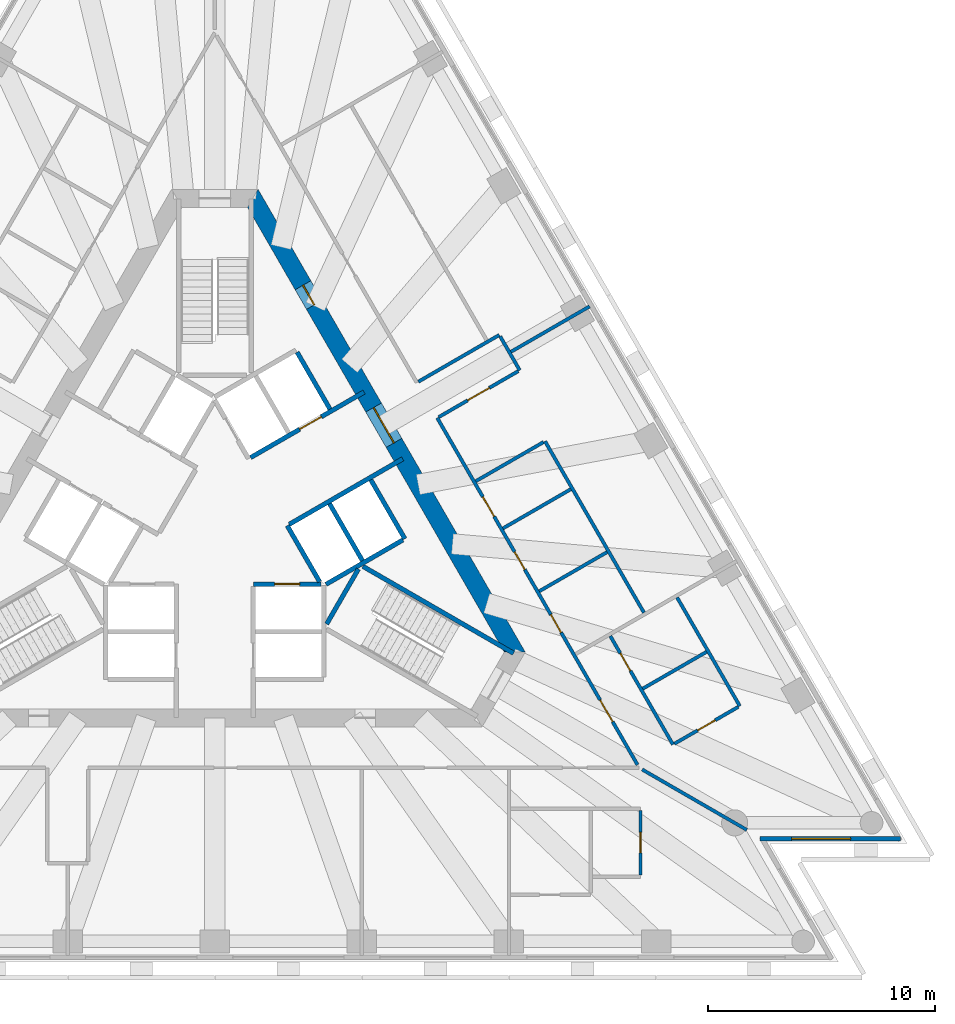
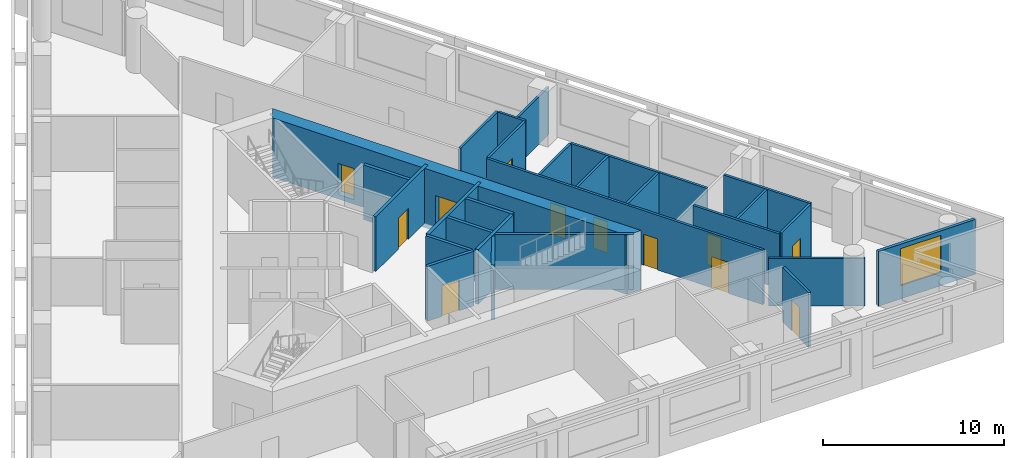
# One storey, part 5 of 9: 27 walls, 12 doors, 1 window, 13 openings.
"""IFC4 building model written with IfcOpenShell, lengths in metres."""

from ifc_helpers import new_model, si_unit, direction, frame, frame_2d, origin, place, context, subcontext, project, spatial, polyline, rectangle, outline, extrude, material, layer, layer_set, layer_usage, type_object, element, fill, save


model = new_model("IFC4")

# Units and contexts
model_context = context("Model", 3, precision=1e-05, world=origin(), true_north=direction((0.0, 1.0)))
body_context = subcontext(model_context, "Body", "Model", "MODEL_VIEW")
ifc_project = project(units=[si_unit("LENGTHUNIT", "METRE"), si_unit("AREAUNIT", "SQUARE_METRE"), si_unit("VOLUMEUNIT", "CUBIC_METRE"), si_unit("PLANEANGLEUNIT", "RADIAN"), si_unit("MASSUNIT", "GRAM", prefix="KILO")], contexts=[model_context])

# Site, building, storey
site_placement = place(None, origin())
site = spatial("IfcSite", under=ifc_project, at=site_placement, CompositionType="ELEMENT")
building_placement = place(site_placement, origin())
building = spatial("IfcBuilding", under=site, at=building_placement, Name="Triada Interchange Tower", CompositionType="ELEMENT")
storey_placement = place(building_placement, frame((0.0, 0.0, 164.300048828125)))
storey = spatial("IfcBuildingStorey", under=building, at=storey_placement, Name="L38", CompositionType="ELEMENT", Elevation=164.300048828125)

# Wall, opening, door
ifc_material_1 = material(Name="Concrete C30/37", Category="concrete")
ifc_layer_1 = layer(ifc_material_1, 0.199951171875)
ifc_layer_set_1 = layer_set([ifc_layer_1], Name="CORE WALL 200 EI 120")
wall_type_1 = type_object("IfcWallType", Name="CORE WALL 200 EI 120", PredefinedType="SOLIDWALL", material=ifc_layer_set_1)
wall_1_placement = place(storey_placement, frame((1.702880859375, -2.699951171875, 0.0), z_axis=(0.0, 0.0, 1.0), x_axis=(1.0, 0.0, 0.0)))
wall_1 = element("IfcWall", 1, at=wall_1_placement, inside=storey, type_object=wall_type_1, Name="Wall L38 57", PredefinedType="SOLIDWALL", context=body_context, shape_type="SweptSolid", body=[
    extrude(rectangle(XDim=2.97314453125, YDim=0.199951171875, at=frame_2d((1.486572265625, 0.0))), origin(), (0.0, 0.0, 1.0), 3.699951171875),
])
opening_1_placement = place(wall_1_placement, frame((0.93603515625, 0.0, 0.0)))
opening_1 = element("IfcOpeningElement", 2, at=opening_1_placement, cuts=wall_1, Name="Opening LD-LR1", PredefinedType="OPENING", context=body_context, shape_type="SweptSolid", body=[
    extrude(rectangle(XDim=1.10009765625, YDim=2.10009765625, at=frame_2d((0.550048828125, 1.050048828125))), frame((0.0, 0.10986328125, 0.0), z_axis=(0.0, -1.0, 0.0), x_axis=(1.0, 0.0, 0.0)), (0.0, 0.0, 1.0), 0.219970703125),
])
ifc_material_2 = material(Name="Steel S235 door leaf", Category="steel")
door_type_1 = type_object("IfcDoorType", Name="LIFT LANDING DOOR 1100 EI 120", OperationType="SLIDING_TO_LEFT", PredefinedType="DOOR", material=ifc_material_2)
door_1_placement = place(opening_1_placement, origin())
door_1 = element("IfcDoor", 3, at=door_1_placement, inside=storey, type_object=door_type_1, Name="LR1 landing door L38", OperationType="SLIDING_TO_LEFT", OverallHeight=2.10009765625, OverallWidth=1.10009765625, PredefinedType="DOOR", context=body_context, shape_type="SweptSolid", body=[
    extrude(rectangle(XDim=1.10009765625, YDim=2.10009765625, at=frame_2d((0.550048828125, 1.050048828125))), frame((0.0, 0.02490234375, 0.0), z_axis=(0.0, -1.0, 0.0), x_axis=(1.0, 0.0, 0.0)), (0.0, 0.0, 1.0), 0.050048828125),
])
fill(opening_1, door_1)

# Wall
wall_2_placement = place(storey_placement, frame((3.18994140625, -0.125, 0.0), z_axis=(0.0, 0.0, 1.0), x_axis=(0.499988658015, -0.866031951983, 0.0)))
element("IfcWall", 4, at=wall_2_placement, inside=storey, type_object=wall_type_1, Name="Wall L38 60", PredefinedType="SOLIDWALL", context=body_context, shape_type="SweptSolid", body=[
    extrude(rectangle(XDim=2.85791015625, YDim=0.199951171875, at=frame_2d((1.428955078125, 0.0))), origin(), (0.0, 0.0, 1.0), 3.699951171875),
])

# Wall, opening, door
wall_3_placement = place(storey_placement, frame((1.576904296875, 2.8740234375, 0.0), z_axis=(0.0, 0.0, 1.0), x_axis=(0.866073694534, 0.499916348638, 0.0)))
wall_3 = element("IfcWall", 5, at=wall_3_placement, inside=storey, type_object=wall_type_1, Name="Wall L38 61", PredefinedType="SOLIDWALL", context=body_context, shape_type="SweptSolid", body=[
    extrude(rectangle(XDim=5.77685546875, YDim=0.199951171875, at=frame_2d((2.888427734375, 0.0))), origin(), (0.0, 0.0, 1.0), 3.699951171875),
])
opening_2_placement = place(wall_3_placement, frame((2.4970703125, 0.0, 0.0)))
opening_2 = element("IfcOpeningElement", 6, at=opening_2_placement, cuts=wall_3, Name="Opening LD-LR6", PredefinedType="OPENING", context=body_context, shape_type="SweptSolid", body=[
    extrude(rectangle(XDim=1.10009765625, YDim=2.10009765625, at=frame_2d((0.550048828125, 1.050048828125))), frame((0.0, 0.10986328125, 0.0), z_axis=(0.0, -1.0, 0.0), x_axis=(1.0, 0.0, 0.0)), (0.0, 0.0, 1.0), 0.219970703125),
])
door_2_placement = place(opening_2_placement, origin())
door_2 = element("IfcDoor", 7, at=door_2_placement, inside=storey, type_object=door_type_1, Name="LR6 landing door L38", OperationType="SLIDING_TO_LEFT", OverallHeight=2.10009765625, OverallWidth=1.10009765625, PredefinedType="DOOR", context=body_context, shape_type="SweptSolid", body=[
    extrude(rectangle(XDim=1.10009765625, YDim=2.10009765625, at=frame_2d((0.550048828125, 1.050048828125))), frame((0.0, 0.02490234375, 0.0), z_axis=(0.0, -1.0, 0.0), x_axis=(1.0, 0.0, 0.0)), (0.0, 0.0, 1.0), 0.050048828125),
])
fill(opening_2, door_2)

# Walls
wall_4_placement = place(storey_placement, frame((3.6259765625, 7.52001953125, 0.0), z_axis=(0.0, 0.0, 1.0), x_axis=(0.500060147554, -0.865990674793, 0.0)))
element("IfcWall", 8, at=wall_4_placement, inside=storey, type_object=wall_type_1, Name="Wall L38 64", PredefinedType="SOLIDWALL", context=body_context, shape_type="SweptSolid", body=[
    extrude(rectangle(XDim=2.899658203125, YDim=0.199951171875, at=frame_2d((1.44970703125, 0.0))), origin(), (0.0, 0.0, 1.0), 3.699951171875),
])
wall_5_placement = place(storey_placement, frame((6.8759765625, 1.89111328125, 0.0), z_axis=(0.0, 0.0, 1.0), x_axis=(0.499990139034, -0.866031096941, 0.0)))
element("IfcWall", 9, at=wall_5_placement, inside=storey, type_object=wall_type_1, Name="Wall L38 65", PredefinedType="SOLIDWALL", context=body_context, shape_type="SweptSolid", body=[
    extrude(rectangle(XDim=3.0, YDim=0.199951171875, at=frame_2d((1.5, 0.0))), origin(), (0.0, 0.0, 1.0), 3.699951171875),
])
wall_6_placement = place(storey_placement, frame((5.056884765625, 0.841064453125, 0.0), z_axis=(0.0, 0.0, 1.0), x_axis=(0.50012328804, -0.865954211699, 0.0)))
element("IfcWall", 10, at=wall_6_placement, inside=storey, type_object=wall_type_1, Name="Wall L38 67", PredefinedType="SOLIDWALL", context=body_context, shape_type="SweptSolid", body=[
    extrude(rectangle(XDim=2.899658203125, YDim=0.199951171875, at=frame_2d((1.44970703125, 0.0))), origin(), (0.0, 0.0, 1.0), 3.699951171875),
])
wall_7_placement = place(storey_placement, frame((3.278076171875, -0.071044921875, 0.0), z_axis=(0.0, 0.0, 1.0), x_axis=(0.865929348003, 0.5001663366, 0.0)))
element("IfcWall", 11, at=wall_7_placement, inside=storey, type_object=wall_type_1, Name="Wall L38 68", PredefinedType="SOLIDWALL", context=body_context, shape_type="SweptSolid", body=[
    extrude(rectangle(XDim=5.7763671875, YDim=0.199951171875, at=frame_2d((2.88818359375, 0.0))), origin(), (0.0, 0.0, 1.0), 3.699951171875),
])
wall_8_placement = place(storey_placement, frame((4.89990234375, -2.714111328125, 0.0), z_axis=(0.0, 0.0, 1.0), x_axis=(0.865992350556, 0.500057245502, 0.0)))
element("IfcWall", 12, at=wall_8_placement, inside=storey, type_object=wall_type_1, Name="Wall L38 69", PredefinedType="SOLIDWALL", context=body_context, shape_type="SweptSolid", body=[
    extrude(rectangle(XDim=3.91357421875, YDim=0.199951171875, at=frame_2d((1.956787109375, 0.0))), origin(), (0.0, 0.0, 1.0), 3.699951171875),
])
ifc_layer_2 = layer(ifc_material_1, 0.199951171875)
ifc_layer_set_2 = layer_set([ifc_layer_2], Name="CORE WALL 200 REI 240")
wall_type_2 = type_object("IfcWallType", Name="CORE WALL 200 REI 240", PredefinedType="SOLIDWALL", material=ifc_layer_set_2)
wall_9_placement = place(storey_placement, frame((4.928955078125, -4.4619140625, 0.0), z_axis=(0.0, 0.0, 1.0), x_axis=(0.500200581029, 0.865909567298, 0.0)))
element("IfcWall", 13, at=wall_9_placement, inside=storey, type_object=wall_type_2, Name="Wall L38 92", PredefinedType="SOLIDWALL", context=body_context, shape_type="SweptSolid", body=[
    extrude(rectangle(XDim=2.799072265625, YDim=0.199951171875, at=frame_2d((1.3994140625, 0.0))), origin(), (0.0, 0.0, 1.0), 3.699951171875),
])
wall_10_placement = place(storey_placement, frame((6.529052734375, -1.922119140625, 0.0), z_axis=(0.0, 0.0, 1.0), x_axis=(0.866060938598, -0.499938446846, 0.0)))
element("IfcWall", 14, at=wall_10_placement, inside=storey, type_object=wall_type_2, Name="Wall L38 93", PredefinedType="SOLIDWALL", context=body_context, shape_type="SweptSolid", body=[
    extrude(rectangle(XDim=7.66455078125, YDim=0.199951171875, at=frame_2d((3.832275390625, 0.0))), origin(), (0.0, 0.0, 1.0), 3.699951171875),
])

# Wall, openings, doors
ifc_material_3 = material(Name="Concrete C60/75", Category="concrete")
ifc_layer_3 = layer(ifc_material_3, 0.800048828125)
ifc_layer_set_3 = layer_set([ifc_layer_3], Name="Core wall B 800")
wall_type_3 = type_object("IfcWallType", Name="Core wall B 800", PredefinedType="SHEAR", material=ifc_layer_set_3)
wall_11_placement = place(storey_placement, frame((13.220947265625, -5.699951171875, -0.300048828125), z_axis=(0.0, 0.0, 1.0), x_axis=(-0.499995765644, 0.866027848477, 0.0)))
wall_11 = element("IfcWall", 15, at=wall_11_placement, inside=storey, type_object=wall_type_3, Name="Core wall WB06 L38", PredefinedType="SHEAR", context=body_context, shape_type="SweptSolid", body=[
    extrude(outline(polyline([(-0.23095703125, -0.39990234375), (1.73193359375, -0.39990234375), (3.695068359375, -0.39990234375), (5.657958984375, -0.39990234375), (7.62109375, -0.39990234375), (9.583984375, -0.39990234375), (11.546875, -0.39990234375), (13.510009765625, -0.39990234375), (15.472900390625, -0.39990234375), (17.43603515625, -0.39990234375), (19.39892578125, -0.39990234375), (21.362060546875, -0.39990234375), (23.324951171875, -0.39990234375), (22.863037109375, 0.39990234375), (20.97705078125, 0.39990234375), (19.091064453125, 0.39990234375), (17.205078125, 0.39990234375), (15.319091796875, 0.39990234375), (13.43310546875, 0.39990234375), (11.546875, 0.39990234375), (9.660888671875, 0.39990234375), (7.77490234375, 0.39990234375), (5.888916015625, 0.39990234375), (4.0029296875, 0.39990234375), (2.116943359375, 0.39990234375), (0.23095703125, 0.39990234375), (-0.23095703125, -0.39990234375)])), origin(), (0.0, 0.0, 1.0), 4.0),
])
opening_3_placement = place(wall_11_placement, frame((10.64697265625, 0.0, 0.300048828125)))
opening_3 = element("IfcOpeningElement", 16, at=opening_3_placement, cuts=wall_11, Name="Opening D38-35", PredefinedType="OPENING", context=body_context, shape_type="SweptSolid", body=[
    extrude(rectangle(XDim=1.800048828125, YDim=2.10009765625, at=frame_2d((0.89990234375, 1.050048828125))), frame((0.0, 0.409912109375, 0.0), z_axis=(0.0, -1.0, 0.0), x_axis=(1.0, 0.0, 0.0)), (0.0, 0.0, 1.0), 0.820068359375),
])
opening_4_placement = place(wall_11_placement, frame((17.6708984375, 0.0, 0.300048828125)))
opening_4 = element("IfcOpeningElement", 17, at=opening_4_placement, cuts=wall_11, Name="Opening D38-41", PredefinedType="OPENING", context=body_context, shape_type="SweptSolid", body=[
    extrude(rectangle(XDim=1.0, YDim=2.10009765625, at=frame_2d((0.5, 1.050048828125))), frame((0.0, 0.409912109375, 0.0), z_axis=(0.0, -1.0, 0.0), x_axis=(1.0, 0.0, 0.0)), (0.0, 0.0, 1.0), 0.820068359375),
])
door_type_2 = type_object("IfcDoorType", Name="LOBBY DOOR 1800 EI2 90-C5S200", OperationType="DOUBLE_DOOR_SINGLE_SWING", PredefinedType="DOOR", material=ifc_material_2)
door_3_placement = place(opening_3_placement, origin())
door_3 = element("IfcDoor", 18, at=door_3_placement, inside=storey, type_object=door_type_2, Name="Door D38-35 L38", OperationType="DOUBLE_DOOR_SINGLE_SWING", OverallHeight=2.10009765625, OverallWidth=1.800048828125, PredefinedType="DOOR", context=body_context, shape_type="SweptSolid", body=[
    extrude(rectangle(XDim=1.800048828125, YDim=2.10009765625, at=frame_2d((0.89990234375, 1.050048828125))), frame((0.0, 0.02490234375, 0.0), z_axis=(0.0, -1.0, 0.0), x_axis=(1.0, 0.0, 0.0)), (0.0, 0.0, 1.0), 0.050048828125),
])
fill(opening_3, door_3)
door_type_3 = type_object("IfcDoorType", Name="SERVICE DOOR 1000 EI2 45-C5S200", OperationType="NOTDEFINED", PredefinedType="DOOR", material=ifc_material_2)
door_4_placement = place(opening_4_placement, origin())
door_4 = element("IfcDoor", 19, at=door_4_placement, inside=storey, type_object=door_type_3, Name="Door D38-41 L38", OperationType="SINGLE_SWING_RIGHT", OverallHeight=2.10009765625, OverallWidth=1.0, PredefinedType="DOOR", context=body_context, shape_type="SweptSolid", body=[
    extrude(rectangle(XDim=1.0, YDim=2.10009765625, at=frame_2d((0.5, 1.050048828125))), frame((0.0, 0.02490234375, 0.0), z_axis=(0.0, -1.0, 0.0), x_axis=(1.0, 0.0, 0.0)), (0.0, 0.0, 1.0), 0.050048828125),
])
fill(opening_4, door_4)

# Wall, opening, window
ifc_material_4 = material(Name="Cement board")
ifc_layer_4 = layer(ifc_material_4, 0.02001953125, Name="Cement board cladding")
ifc_material_5 = material(Name="Sheathing board")
ifc_layer_5 = layer(ifc_material_5, 0.014892578125, Name="Sheathing board")
ifc_material_6 = material(Name="Mineral wool")
ifc_layer_6 = layer(ifc_material_6, 0.14990234375, Name="Mineral wool between steel studs")
ifc_material_7 = material(Name="Gypsum board")
ifc_layer_7 = layer(ifc_material_7, 0.014892578125, Name="Plasterboard lining")
ifc_layer_set_4 = layer_set([ifc_layer_4, ifc_layer_5, ifc_layer_6, ifc_layer_7], Name="External wall 200")
ifc_layer_usage = layer_usage(ifc_layer_set_4, "AXIS2", "POSITIVE", -0.10009765625)
wall_type_4 = type_object("IfcWallType", Name="External wall 200", PredefinedType="ELEMENTEDWALL", material=ifc_layer_set_4)
wall_12_placement = place(storey_placement, frame((24.034912109375, -13.927978515625, 0.0), z_axis=(0.0, 0.0, 1.0), x_axis=(1.0, 0.0, 0.0)))
wall_12 = element("IfcWall", 20, at=wall_12_placement, inside=storey, type_object=wall_type_4, material=ifc_layer_usage, Name="External wall L38 SE-2", PredefinedType="ELEMENTEDWALL", context=body_context, shape_type="SweptSolid", body=[
    extrude(rectangle(XDim=6.194091796875, YDim=0.199951171875, at=frame_2d((3.09716796875, 0.0))), origin(), (0.0, 0.0, 1.0), 3.699951171875),
])
opening_5_placement = place(wall_12_placement, frame((1.389892578125, 0.0, 0.89990234375)))
opening_5 = element("IfcOpeningElement", 21, at=opening_5_placement, cuts=wall_12, Name="Opening WB20", PredefinedType="OPENING", context=body_context, shape_type="SweptSolid", body=[
    extrude(rectangle(XDim=2.60009765625, YDim=2.5, at=frame_2d((1.300048828125, 1.25))), frame((0.0, 0.10986328125, 0.0), z_axis=(0.0, -1.0, 0.0), x_axis=(1.0, 0.0, 0.0)), (0.0, 0.0, 1.0), 0.219970703125),
])
ifc_material_8 = material(Name="Double glazed aluminium window", Category="aluminium")
window_type = type_object("IfcWindowType", Name="Ribbon window B pocket", PartitioningType="SINGLE_PANEL", PredefinedType="WINDOW", material=ifc_material_8)
window_placement = place(opening_5_placement, origin())
window = element("IfcWindow", 22, at=window_placement, inside=storey, type_object=window_type, Name="Window L38 SE-2 1", OverallHeight=2.5, OverallWidth=2.60009765625, PartitioningType="SINGLE_PANEL", PredefinedType="WINDOW", context=body_context, shape_type="SweptSolid", body=[
    extrude(rectangle(XDim=2.60009765625, YDim=2.5, at=frame_2d((1.300048828125, 1.25))), frame((0.0, 0.030029296875, 0.0), z_axis=(0.0, -1.0, 0.0), x_axis=(1.0, 0.0, 0.0)), (0.0, 0.0, 1.0), 0.06005859375),
])
fill(opening_5, window)

# Walls
ifc_material_9 = material(Name="Gypsum board partition")
ifc_layer_8 = layer(ifc_material_9, 0.14990234375)
ifc_layer_set_5 = layer_set([ifc_layer_8], Name="PARTITION 150 EI 180")
wall_type_5 = type_object("IfcWallType", Name="PARTITION 150 EI 180", PredefinedType="PARTITIONING", material=ifc_layer_set_5)
wall_13_placement = place(storey_placement, frame((13.054931640625, 7.537109375, 0.0), z_axis=(0.0, 0.0, 1.0), x_axis=(0.866026010844, 0.49999894854, 0.0)))
element("IfcWall", 23, at=wall_13_placement, inside=storey, type_object=wall_type_5, Name="Wall L38 2", PredefinedType="PARTITIONING", context=body_context, shape_type="SweptSolid", body=[
    extrude(rectangle(XDim=4.0, YDim=0.14990234375, at=frame_2d((2.0, 0.0))), origin(), (0.0, 0.0, 1.0), 3.199951171875),
])
wall_14_placement = place(storey_placement, frame((18.8349609375, -10.875, 0.0), z_axis=(0.0, 0.0, 1.0), x_axis=(0.866012362072, -0.500022588228, 0.0)))
element("IfcWall", 24, at=wall_14_placement, inside=storey, type_object=wall_type_5, Name="Wall L38 11", PredefinedType="PARTITIONING", context=body_context, shape_type="SweptSolid", body=[
    extrude(rectangle(XDim=5.327880859375, YDim=0.14990234375, at=frame_2d((2.6640625, 0.0))), origin(), (0.0, 0.0, 1.0), 3.199951171875),
])

# Wall, openings, doors
wall_15_placement = place(storey_placement, frame((9.803955078125, 4.6201171875, 0.0), z_axis=(0.0, 0.0, 1.0), x_axis=(0.500000173646, -0.86602530353, 0.0)))
wall_15 = element("IfcWall", 25, at=wall_15_placement, inside=storey, type_object=wall_type_5, Name="Wall L38 26", PredefinedType="PARTITIONING", context=body_context, shape_type="SweptSolid", body=[
    extrude(rectangle(XDim=17.654296875, YDim=0.14990234375, at=frame_2d((8.8271484375, 0.0))), origin(), (0.0, 0.0, 1.0), 3.699951171875),
])
opening_6_placement = place(wall_15_placement, frame((14.35400390625, 0.0, 0.0)))
opening_6 = element("IfcOpeningElement", 26, at=opening_6_placement, cuts=wall_15, Name="Opening D38-17", PredefinedType="OPENING", context=body_context, shape_type="SweptSolid", body=[
    extrude(rectangle(XDim=1.10009765625, YDim=2.10009765625, at=frame_2d((0.550048828125, 1.050048828125))), frame((0.0, 0.0849609375, 0.0), z_axis=(0.0, -1.0, 0.0), x_axis=(1.0, 0.0, 0.0)), (0.0, 0.0, 1.0), 0.169921875),
])
opening_7_placement = place(wall_15_placement, frame((10.013916015625, 0.0, 0.0)))
opening_7 = element("IfcOpeningElement", 27, at=opening_7_placement, cuts=wall_15, Name="Opening D38-21", PredefinedType="OPENING", context=body_context, shape_type="SweptSolid", body=[
    extrude(rectangle(XDim=0.89990234375, YDim=2.10009765625, at=frame_2d((0.449951171875, 1.050048828125))), frame((0.0, 0.0849609375, 0.0), z_axis=(0.0, -1.0, 0.0), x_axis=(1.0, 0.0, 0.0)), (0.0, 0.0, 1.0), 0.169921875),
])
opening_8_placement = place(wall_15_placement, frame((6.81396484375, 0.0, 0.0)))
opening_8 = element("IfcOpeningElement", 28, at=opening_8_placement, cuts=wall_15, Name="Opening D38-22", PredefinedType="OPENING", context=body_context, shape_type="SweptSolid", body=[
    extrude(rectangle(XDim=0.89990234375, YDim=2.10009765625, at=frame_2d((0.449951171875, 1.050048828125))), frame((0.0, 0.0849609375, 0.0), z_axis=(0.0, -1.0, 0.0), x_axis=(1.0, 0.0, 0.0)), (0.0, 0.0, 1.0), 0.169921875),
])
opening_9_placement = place(wall_15_placement, frame((4.013916015625, 0.0, 0.0)))
opening_9 = element("IfcOpeningElement", 29, at=opening_9_placement, cuts=wall_15, Name="Opening D38-23", PredefinedType="OPENING", context=body_context, shape_type="SweptSolid", body=[
    extrude(rectangle(XDim=1.0, YDim=2.10009765625, at=frame_2d((0.5, 1.050048828125))), frame((0.0, 0.0849609375, 0.0), z_axis=(0.0, -1.0, 0.0), x_axis=(1.0, 0.0, 0.0)), (0.0, 0.0, 1.0), 0.169921875),
])
door_type_4 = type_object("IfcDoorType", Name="ROOM DOOR 1000 EI2 90-C5S200", OperationType="NOTDEFINED", PredefinedType="DOOR", material=ifc_material_2)
door_5_placement = place(opening_9_placement, origin())
door_5 = element("IfcDoor", 30, at=door_5_placement, inside=storey, type_object=door_type_4, Name="Door D38-23 L38", OperationType="SINGLE_SWING_LEFT", OverallHeight=2.10009765625, OverallWidth=1.0, PredefinedType="DOOR", context=body_context, shape_type="SweptSolid", body=[
    extrude(rectangle(XDim=1.0, YDim=2.10009765625, at=frame_2d((0.5, 1.050048828125))), frame((0.0, 0.02490234375, 0.0), z_axis=(0.0, -1.0, 0.0), x_axis=(1.0, 0.0, 0.0)), (0.0, 0.0, 1.0), 0.050048828125),
])
fill(opening_9, door_5)
door_type_5 = type_object("IfcDoorType", Name="ROOM DOOR 900 EI2 90-C5S200", OperationType="NOTDEFINED", PredefinedType="DOOR", material=ifc_material_2)
door_6_placement = place(opening_7_placement, origin())
door_6 = element("IfcDoor", 31, at=door_6_placement, inside=storey, type_object=door_type_5, Name="Door D38-21 L38", OperationType="SINGLE_SWING_LEFT", OverallHeight=2.10009765625, OverallWidth=0.89990234375, PredefinedType="DOOR", context=body_context, shape_type="SweptSolid", body=[
    extrude(rectangle(XDim=0.89990234375, YDim=2.10009765625, at=frame_2d((0.449951171875, 1.050048828125))), frame((0.0, 0.02490234375, 0.0), z_axis=(0.0, -1.0, 0.0), x_axis=(1.0, 0.0, 0.0)), (0.0, 0.0, 1.0), 0.050048828125),
])
fill(opening_7, door_6)
door_7_placement = place(opening_8_placement, origin())
door_7 = element("IfcDoor", 32, at=door_7_placement, inside=storey, type_object=door_type_5, Name="Door D38-22 L38", OperationType="SINGLE_SWING_LEFT", OverallHeight=2.10009765625, OverallWidth=0.89990234375, PredefinedType="DOOR", context=body_context, shape_type="SweptSolid", body=[
    extrude(rectangle(XDim=0.89990234375, YDim=2.10009765625, at=frame_2d((0.449951171875, 1.050048828125))), frame((0.0, 0.02490234375, 0.0), z_axis=(0.0, -1.0, 0.0), x_axis=(1.0, 0.0, 0.0)), (0.0, 0.0, 1.0), 0.050048828125),
])
fill(opening_8, door_7)
door_type_6 = type_object("IfcDoorType", Name="TENANCY ENTRANCE DOOR 1100 EI2 90-C5S200", OperationType="NOTDEFINED", PredefinedType="DOOR", material=ifc_material_2)
door_8_placement = place(opening_6_placement, origin())
door_8 = element("IfcDoor", 33, at=door_8_placement, inside=storey, type_object=door_type_6, Name="Door D38-17 L38", OperationType="SINGLE_SWING_RIGHT", OverallHeight=2.10009765625, OverallWidth=1.10009765625, PredefinedType="DOOR", context=body_context, shape_type="SweptSolid", body=[
    extrude(rectangle(XDim=1.10009765625, YDim=2.10009765625, at=frame_2d((0.550048828125, 1.050048828125))), frame((0.0, 0.02490234375, 0.0), z_axis=(0.0, -1.0, 0.0), x_axis=(1.0, 0.0, 0.0)), (0.0, 0.0, 1.0), 0.050048828125),
])
fill(opening_6, door_8)

# Walls
wall_16_placement = place(storey_placement, frame((8.968994140625, 6.217041015625, 0.0), z_axis=(0.0, 0.0, 1.0), x_axis=(0.865997263264, 0.500048737644, 0.0)))
element("IfcWall", 34, at=wall_16_placement, inside=storey, type_object=wall_type_5, Name="Wall L38 28", PredefinedType="PARTITIONING", context=body_context, shape_type="SweptSolid", body=[
    extrude(rectangle(XDim=4.12353515625, YDim=0.14990234375, at=frame_2d((2.061767578125, 0.0))), origin(), (0.0, 0.0, 1.0), 3.699951171875),
])
wall_17_placement = place(storey_placement, frame((12.577880859375, 8.214111328125, 0.0), z_axis=(0.0, 0.0, 1.0), x_axis=(0.499746958151, -0.866171448282, 0.0)))
element("IfcWall", 35, at=wall_17_placement, inside=storey, type_object=wall_type_5, Name="Wall L38 29", PredefinedType="PARTITIONING", context=body_context, shape_type="SweptSolid", body=[
    extrude(rectangle(XDim=1.72509765625, YDim=0.14990234375, at=frame_2d((0.862548828125, 0.0))), origin(), (0.0, 0.0, 1.0), 3.699951171875),
])
wall_18_placement = place(storey_placement, frame((14.552978515625, 3.593017578125, 0.0), z_axis=(0.0, 0.0, 1.0), x_axis=(0.500054279689, -0.865994063124, 0.0)))
element("IfcWall", 36, at=wall_18_placement, inside=storey, type_object=wall_type_5, Name="Wall L38 31", PredefinedType="PARTITIONING", context=body_context, shape_type="SweptSolid", body=[
    extrude(rectangle(XDim=8.72509765625, YDim=0.14990234375, at=frame_2d((4.362548828125, 0.0))), origin(), (0.0, 0.0, 1.0), 3.699951171875),
])
wall_19_placement = place(storey_placement, frame((11.5, 1.8310546875, 0.0), z_axis=(0.0, 0.0, 1.0), x_axis=(0.866061862632, 0.499936846106, 0.0)))
element("IfcWall", 37, at=wall_19_placement, inside=storey, type_object=wall_type_5, Name="Wall L38 32", PredefinedType="PARTITIONING", context=body_context, shape_type="SweptSolid", body=[
    extrude(rectangle(XDim=3.4501953125, YDim=0.14990234375, at=frame_2d((1.72509765625, 0.0))), origin(), (0.0, 0.0, 1.0), 3.699951171875),
])

# Wall, opening, door
wall_20_placement = place(storey_placement, frame((9.868896484375, 4.657958984375, 0.0), z_axis=(0.0, 0.0, 1.0), x_axis=(0.865929493314, 0.500166085025, 0.0)))
wall_20 = element("IfcWall", 38, at=wall_20_placement, inside=storey, type_object=wall_type_5, Name="Wall L38 33", PredefinedType="PARTITIONING", context=body_context, shape_type="SweptSolid", body=[
    extrude(rectangle(XDim=4.048828125, YDim=0.14990234375, at=frame_2d((2.0244140625, 0.0))), origin(), (0.0, 0.0, 1.0), 3.699951171875),
])
opening_10_placement = place(wall_20_placement, frame((1.47412109375, 0.0, 0.0)))
opening_10 = element("IfcOpeningElement", 39, at=opening_10_placement, cuts=wall_20, Name="Opening D38-20", PredefinedType="OPENING", context=body_context, shape_type="SweptSolid", body=[
    extrude(rectangle(XDim=1.10009765625, YDim=2.10009765625, at=frame_2d((0.550048828125, 1.050048828125))), frame((0.0, 0.0849609375, 0.0), z_axis=(0.0, -1.0, 0.0), x_axis=(1.0, 0.0, 0.0)), (0.0, 0.0, 1.0), 0.169921875),
])
door_9_placement = place(opening_10_placement, origin())
door_9 = element("IfcDoor", 40, at=door_9_placement, inside=storey, type_object=door_type_6, Name="Door D38-20 L38", OperationType="SINGLE_SWING_LEFT", OverallHeight=2.10009765625, OverallWidth=1.10009765625, PredefinedType="DOOR", context=body_context, shape_type="SweptSolid", body=[
    extrude(rectangle(XDim=1.10009765625, YDim=2.10009765625, at=frame_2d((0.550048828125, 1.050048828125))), frame((0.0, 0.02490234375, 0.0), z_axis=(0.0, -1.0, 0.0), x_axis=(1.0, 0.0, 0.0)), (0.0, 0.0, 1.0), 0.050048828125),
])
fill(opening_10, door_9)

# Walls
for number, where, z_axis, x_axis, name in (
    (41, (12.699951171875, -0.248046875, 0.0), (0.0, 0.0, 1.0), (0.866031223622, 0.49998991961, 0.0), "Wall L38 34"),
    (42, (14.300048828125, -3.01904296875, 0.0), (0.0, 0.0, 1.0), (0.866031223622, 0.49998991961, 0.0), "Wall L38 36"),
):
    element("IfcWall", number, at=place(storey_placement, frame(where, z_axis=z_axis, x_axis=x_axis)), inside=storey, type_object=wall_type_5, Name=name, PredefinedType="PARTITIONING", context=body_context, shape_type="SweptSolid", body=[
        extrude(rectangle(XDim=3.4501953125, YDim=0.14990234375, at=frame_2d((1.72509765625, 0.0))), origin(), (0.0, 0.0, 1.0), 3.699951171875),
    ])

# Wall, opening, door
ifc_layer_9 = layer(ifc_material_9, 0.14990234375)
ifc_layer_set_6 = layer_set([ifc_layer_9], Name="PARTITION 150 EI 90")
wall_type_6 = type_object("IfcWallType", Name="PARTITION 150 EI 90", PredefinedType="PARTITIONING", material=ifc_layer_set_6)
wall_21_placement = place(storey_placement, frame((18.763916015625, -15.52490234375, 0.0), z_axis=(0.0, 0.0, 1.0), x_axis=(0.0, 1.0, 0.0)))
wall_21 = element("IfcWall", 43, at=wall_21_placement, inside=storey, type_object=wall_type_6, Name="Wall L38 43", PredefinedType="PARTITIONING", context=body_context, shape_type="SweptSolid", body=[
    extrude(rectangle(XDim=2.849853515625, YDim=0.14990234375, at=frame_2d((1.4248046875, 0.0))), origin(), (0.0, 0.0, 1.0), 3.699951171875),
])
opening_11_placement = place(wall_21_placement, frame((0.97509765625, 0.0, 0.0)))
opening_11 = element("IfcOpeningElement", 44, at=opening_11_placement, cuts=wall_21, Name="Opening D38-16", PredefinedType="OPENING", context=body_context, shape_type="SweptSolid", body=[
    extrude(rectangle(XDim=0.89990234375, YDim=2.10009765625, at=frame_2d((0.449951171875, 1.050048828125))), frame((0.0, 0.0849609375, 0.0), z_axis=(0.0, -1.0, 0.0), x_axis=(1.0, 0.0, 0.0)), (0.0, 0.0, 1.0), 0.169921875),
])
door_type_7 = type_object("IfcDoorType", Name="SERVICE DOOR 900 EI2 45-C5S200", OperationType="NOTDEFINED", PredefinedType="DOOR", material=ifc_material_2)
door_10_placement = place(opening_11_placement, origin())
door_10 = element("IfcDoor", 45, at=door_10_placement, inside=storey, type_object=door_type_7, Name="Door D38-16 L38", OperationType="SINGLE_SWING_RIGHT", OverallHeight=2.10009765625, OverallWidth=0.89990234375, PredefinedType="DOOR", context=body_context, shape_type="SweptSolid", body=[
    extrude(rectangle(XDim=0.89990234375, YDim=2.10009765625, at=frame_2d((0.449951171875, 1.050048828125))), frame((0.0, 0.02490234375, 0.0), z_axis=(0.0, -1.0, 0.0), x_axis=(1.0, 0.0, 0.0)), (0.0, 0.0, 1.0), 0.050048828125),
])
fill(opening_11, door_10)

# Walls
wall_22_placement = place(storey_placement, frame((18.85888671875, -7.31494140625, 0.0), z_axis=(0.0, 0.0, 1.0), x_axis=(0.866071776036, 0.499919672301, 0.0)))
element("IfcWall", 46, at=wall_22_placement, inside=storey, type_object=wall_type_6, Name="Wall L38 44", PredefinedType="PARTITIONING", context=body_context, shape_type="SweptSolid", body=[
    extrude(rectangle(XDim=3.25048828125, YDim=0.14990234375, at=frame_2d((1.625244140625, 0.0))), origin(), (0.0, 0.0, 1.0), 3.699951171875),
])
wall_23_placement = place(storey_placement, frame((20.3759765625, -3.29296875, 0.0), z_axis=(0.0, 0.0, 1.0), x_axis=(0.500050108258, -0.865996471835, 0.0)))
element("IfcWall", 47, at=wall_23_placement, inside=storey, type_object=wall_type_6, Name="Wall L38 45", PredefinedType="PARTITIONING", context=body_context, shape_type="SweptSolid", body=[
    extrude(rectangle(XDim=5.525390625, YDim=0.14990234375, at=frame_2d((2.7626953125, 0.0))), origin(), (0.0, 0.0, 1.0), 3.699951171875),
])

# Wall, opening, door
wall_24_placement = place(storey_placement, frame((17.431884765625, -4.992919921875, 0.0), z_axis=(0.0, 0.0, 1.0), x_axis=(0.499931554694, -0.866064917094, 0.0)))
wall_24 = element("IfcWall", 48, at=wall_24_placement, inside=storey, type_object=wall_type_6, Name="Wall L38 46", PredefinedType="PARTITIONING", context=body_context, shape_type="SweptSolid", body=[
    extrude(rectangle(XDim=5.525146484375, YDim=0.14990234375, at=frame_2d((2.7626953125, 0.0))), origin(), (0.0, 0.0, 1.0), 3.699951171875),
])
opening_12_placement = place(wall_24_placement, frame((0.875, 0.0, 0.0)))
opening_12 = element("IfcOpeningElement", 49, at=opening_12_placement, cuts=wall_24, Name="Opening D38-18", PredefinedType="OPENING", context=body_context, shape_type="SweptSolid", body=[
    extrude(rectangle(XDim=0.89990234375, YDim=2.10009765625, at=frame_2d((0.449951171875, 1.050048828125))), frame((0.0, 0.0849609375, 0.0), z_axis=(0.0, -1.0, 0.0), x_axis=(1.0, 0.0, 0.0)), (0.0, 0.0, 1.0), 0.169921875),
])
door_type_8 = type_object("IfcDoorType", Name="ROOM DOOR 900 EI2 45-C5S200", OperationType="NOTDEFINED", PredefinedType="DOOR", material=ifc_material_2)
door_11_placement = place(opening_12_placement, origin())
door_11 = element("IfcDoor", 50, at=door_11_placement, inside=storey, type_object=door_type_8, Name="Door D38-18 L38", OperationType="SINGLE_SWING_LEFT", OverallHeight=2.10009765625, OverallWidth=0.89990234375, PredefinedType="DOOR", context=body_context, shape_type="SweptSolid", body=[
    extrude(rectangle(XDim=0.89990234375, YDim=2.10009765625, at=frame_2d((0.449951171875, 1.050048828125))), frame((0.0, 0.02490234375, 0.0), z_axis=(0.0, -1.0, 0.0), x_axis=(1.0, 0.0, 0.0)), (0.0, 0.0, 1.0), 0.050048828125),
])
fill(opening_12, door_11)

wall_25_placement = place(storey_placement, frame((20.259033203125, -9.739990234375, 0.0), z_axis=(0.0, 0.0, 1.0), x_axis=(0.866053003207, 0.499952193351, 0.0)))
wall_25 = element("IfcWall", 51, at=wall_25_placement, inside=storey, type_object=wall_type_6, Name="Wall L38 47", PredefinedType="PARTITIONING", context=body_context, shape_type="SweptSolid", body=[
    extrude(rectangle(XDim=3.250244140625, YDim=0.14990234375, at=frame_2d((1.625, 0.0))), origin(), (0.0, 0.0, 1.0), 3.699951171875),
])
opening_13_placement = place(wall_25_placement, frame((1.175048828125, 0.0, 0.0)))
opening_13 = element("IfcOpeningElement", 52, at=opening_13_placement, cuts=wall_25, Name="Opening D38-19", PredefinedType="OPENING", context=body_context, shape_type="SweptSolid", body=[
    extrude(rectangle(XDim=0.89990234375, YDim=2.10009765625, at=frame_2d((0.449951171875, 1.050048828125))), frame((0.0, 0.0849609375, 0.0), z_axis=(0.0, -1.0, 0.0), x_axis=(1.0, 0.0, 0.0)), (0.0, 0.0, 1.0), 0.169921875),
])
door_12_placement = place(opening_13_placement, origin())
door_12 = element("IfcDoor", 53, at=door_12_placement, inside=storey, type_object=door_type_8, Name="Door D38-19 L38", OperationType="SINGLE_SWING_LEFT", OverallHeight=2.10009765625, OverallWidth=0.89990234375, PredefinedType="DOOR", context=body_context, shape_type="SweptSolid", body=[
    extrude(rectangle(XDim=0.89990234375, YDim=2.10009765625, at=frame_2d((0.449951171875, 1.050048828125))), frame((0.0, 0.02490234375, 0.0), z_axis=(0.0, -1.0, 0.0), x_axis=(1.0, 0.0, 0.0)), (0.0, 0.0, 1.0), 0.050048828125),
])
fill(opening_13, door_12)

save(model, "model.ifc")
